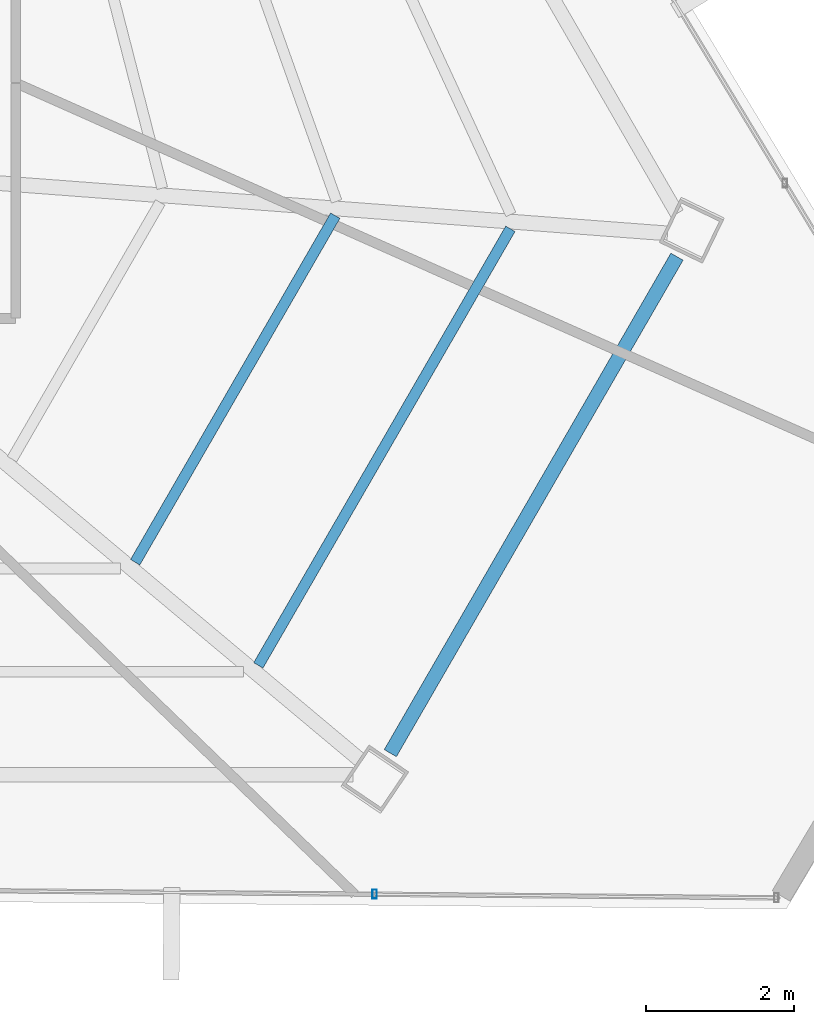
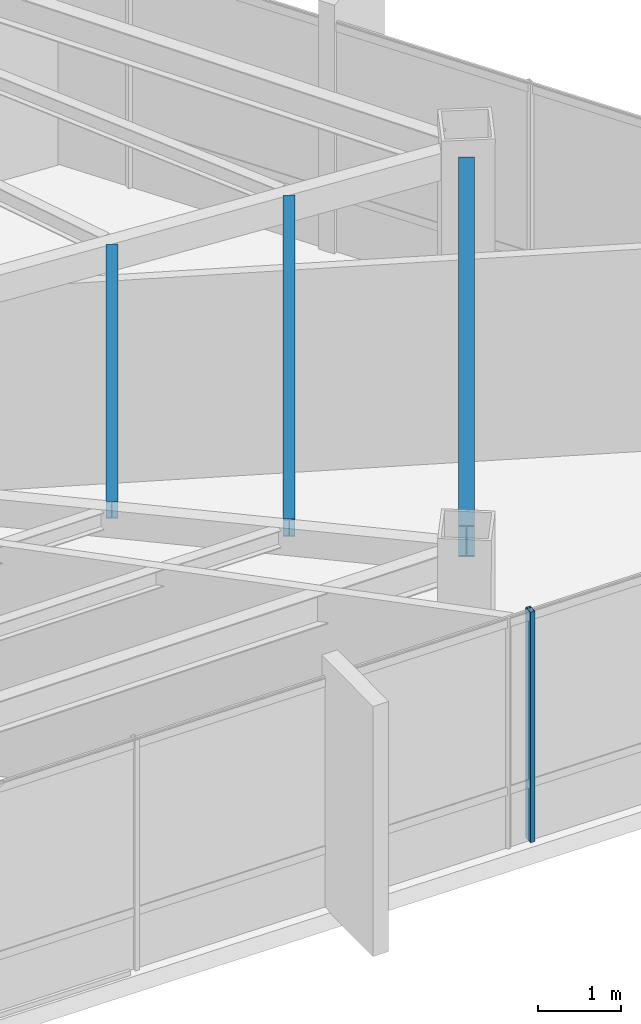
# One storey, part 23 of 46: 3 beams, 1 member, 1 element without a shape of its own.
"""IFC4 building model written with IfcOpenShell, lengths in metres."""

from ifc_helpers import new_model, si_unit, direction, frame, origin, origin_2d, place, context, subcontext, project, spatial, hollow_rectangle, i_section, extrude, source, transform, mapped, material, material_profile, profile_set, type_object, type_shapes, element, aggregate, save


model = new_model("IFC4")

# Units and contexts
model_context = context("Model", 3, precision=1e-05, world=origin(), true_north=direction((0.0, 1.0)))
body_context = subcontext(model_context, "Body", "Model", "MODEL_VIEW")
ifc_project = project(units=[si_unit("LENGTHUNIT", "METRE"), si_unit("AREAUNIT", "SQUARE_METRE"), si_unit("VOLUMEUNIT", "CUBIC_METRE"), si_unit("PLANEANGLEUNIT", "RADIAN"), si_unit("MASSUNIT", "GRAM", prefix="KILO")], contexts=[model_context])

# Site, building, storey
site_placement = place(None, origin())
site = spatial("IfcSite", under=ifc_project, at=site_placement, CompositionType="ELEMENT")
building_placement = place(site_placement, origin())
building = spatial("IfcBuilding", under=site, at=building_placement, Name="Caelisora Broadcast Tower", CompositionType="ELEMENT")
storey_placement = place(building_placement, frame((0.0, 0.0, 237.14990234375)))
storey = spatial("IfcBuildingStorey", under=building, at=storey_placement, Name="L62", CompositionType="ELEMENT", Elevation=237.14990234375)

# Beams
ifc_material_1 = material(Name="Steel Grade 350 (AS/NZS 3679.1)", Category="steel")
ifc_material_profile_1 = material_profile(ifc_material_1, i_section(OverallWidth=0.19091796875, OverallDepth=0.46044921875, WebThickness=0.010009765625, FlangeThickness=0.01611328125, at=origin_2d()), Name="Steel Grade 350 (AS/NZS 3679.1)")
ifc_profile_set_1 = profile_set([ifc_material_profile_1], Name="Steel Grade 350 (AS/NZS 3679.1)")
beam_type_1 = type_object("IfcBeamType", Name="PG06", PredefinedType="BEAM", material=ifc_profile_set_1)
shared_shape_1 = source(origin(), body_context, "Body", "SweptSolid", [
    extrude(i_section(OverallWidth=0.19091796875, OverallDepth=0.46044921875, WebThickness=0.010009765625, FlangeThickness=0.01611328125, at=origin_2d()), origin(), (0.0, 0.0, 1.0), 7.761474609375),
])
type_shapes(beam_type_1, [shared_shape_1])
beam_1_placement = place(storey_placement, frame((55.672607421875, 9.315673828125, 3.169921875), z_axis=(0.500022877829, 0.866012194861, 0.0), x_axis=(-0.866012194861, 0.500022877829, 0.0)))
element("IfcBeam", 1, at=beam_1_placement, inside=storey, type_object=beam_type_1, Name="L62 beam PG06", PredefinedType="BEAM", context=body_context, shape_type="MappedRepresentation", body=[
    mapped(shared_shape_1, transform((0.0, 0.0, 0.0), scale=1.0)),
])
ifc_material_profile_2 = material_profile(ifc_material_1, i_section(OverallWidth=0.14599609375, OverallDepth=0.256103515625, WebThickness=0.00634765625, FlangeThickness=0.010986328125, at=origin_2d()), Name="Steel Grade 350 (AS/NZS 3679.1)")
ifc_profile_set_2 = profile_set([ifc_material_profile_2], Name="Steel Grade 350 (AS/NZS 3679.1)")
beam_type_2 = type_object("IfcBeamType", Name="SB04", PredefinedType="JOIST", material=ifc_profile_set_2)
shared_shape_2 = source(origin(), body_context, "Body", "SweptSolid", [
    extrude(i_section(OverallWidth=0.14599609375, OverallDepth=0.256103515625, WebThickness=0.00634765625, FlangeThickness=0.010986328125, at=origin_2d()), origin(), (0.0, 0.0, 1.0), 5.418212890625),
])
beam_2_placement = place(storey_placement, frame((52.218505859375, 11.900634765625, 3.27197265625), z_axis=(0.499977284099, 0.866038518419, 0.0), x_axis=(-0.866038518419, 0.499977284099, 0.0)))
element("IfcBeam", 2, at=beam_2_placement, inside=storey, type_object=beam_type_2, Name="L62 beam SB04", PredefinedType="JOIST", context=body_context, shape_type="MappedRepresentation", body=[
    mapped(shared_shape_2, transform((0.0, 0.0, 0.0), scale=1.0)),
])
shared_shape_3 = source(origin(), body_context, "Body", "SweptSolid", [
    extrude(i_section(OverallWidth=0.14599609375, OverallDepth=0.256103515625, WebThickness=0.00634765625, FlangeThickness=0.010986328125, at=origin_2d()), origin(), (0.0, 0.0, 1.0), 6.824462890625),
])
type_shapes(beam_type_2, [shared_shape_2, shared_shape_3])
beam_3_placement = place(storey_placement, frame((53.8857421875, 10.50439453125, 3.27197265625), z_axis=(0.500013540858, 0.866017585825, 0.0), x_axis=(-0.866017585825, 0.500013540858, 0.0)))
element("IfcBeam", 3, at=beam_3_placement, inside=storey, type_object=beam_type_2, Name="L62 beam SB04", PredefinedType="JOIST", context=body_context, shape_type="MappedRepresentation", body=[
    mapped(shared_shape_3, transform((0.0, 0.0, 0.0), scale=1.0)),
])

# Curtain wall, member
ifc_material_2 = material(Name="Unitised Aluminium and Low-E Glass Curtain Wall", Category="glass")
curtain_wall_type = type_object("IfcCurtainWallType", Name="CW-Z5", PredefinedType="NOTDEFINED", material=ifc_material_2)
curtain_wall_placement = place(storey_placement, origin())
curtain_wall = element("IfcCurtainWall", 4, at=curtain_wall_placement, inside=storey, type_object=curtain_wall_type, Name="L62 curtain wall CW-Z5", PredefinedType="NOTDEFINED")
ifc_material_3 = material(Name="Aluminium 6063-T6 Anodised Terracotta Bronze", Category="aluminium")
ifc_material_profile_3 = material_profile(ifc_material_3, hollow_rectangle(XDim=0.06005859375, YDim=0.1201171875, WallThickness=0.0029296875, at=origin_2d()), Name="Aluminium 6063-T6 Anodised Terracotta Bronze")
ifc_profile_set_3 = profile_set([ifc_material_profile_3], Name="Aluminium 6063-T6 Anodised Terracotta Bronze")
member_type = type_object("IfcMemberType", Name="CWM-04", PredefinedType="MULLION", material=ifc_profile_set_3)
shared_shape_4 = source(origin(), body_context, "Body", "SweptSolid", [
    extrude(hollow_rectangle(XDim=0.06005859375, YDim=0.1201171875, WallThickness=0.0029296875, at=origin_2d()), origin(), (0.0, 0.0, 1.0), 3.400146484375),
])
type_shapes(member_type, [shared_shape_4])
member_placement = place(storey_placement, frame((55.461181640625, 7.406005859375, 0.0), z_axis=(0.0, 0.0, 1.0), x_axis=(1.0, 0.0, 0.0)))
member = element("IfcMember", 5, at=member_placement, type_object=member_type, Name="L62-CW-B05 mullion #1", PredefinedType="MULLION", context=body_context, shape_type="MappedRepresentation", body=[
    mapped(shared_shape_4, transform((0.0, 0.0, 0.0), scale=1.0)),
])
aggregate(curtain_wall, [member])

save(model, "model.ifc")
